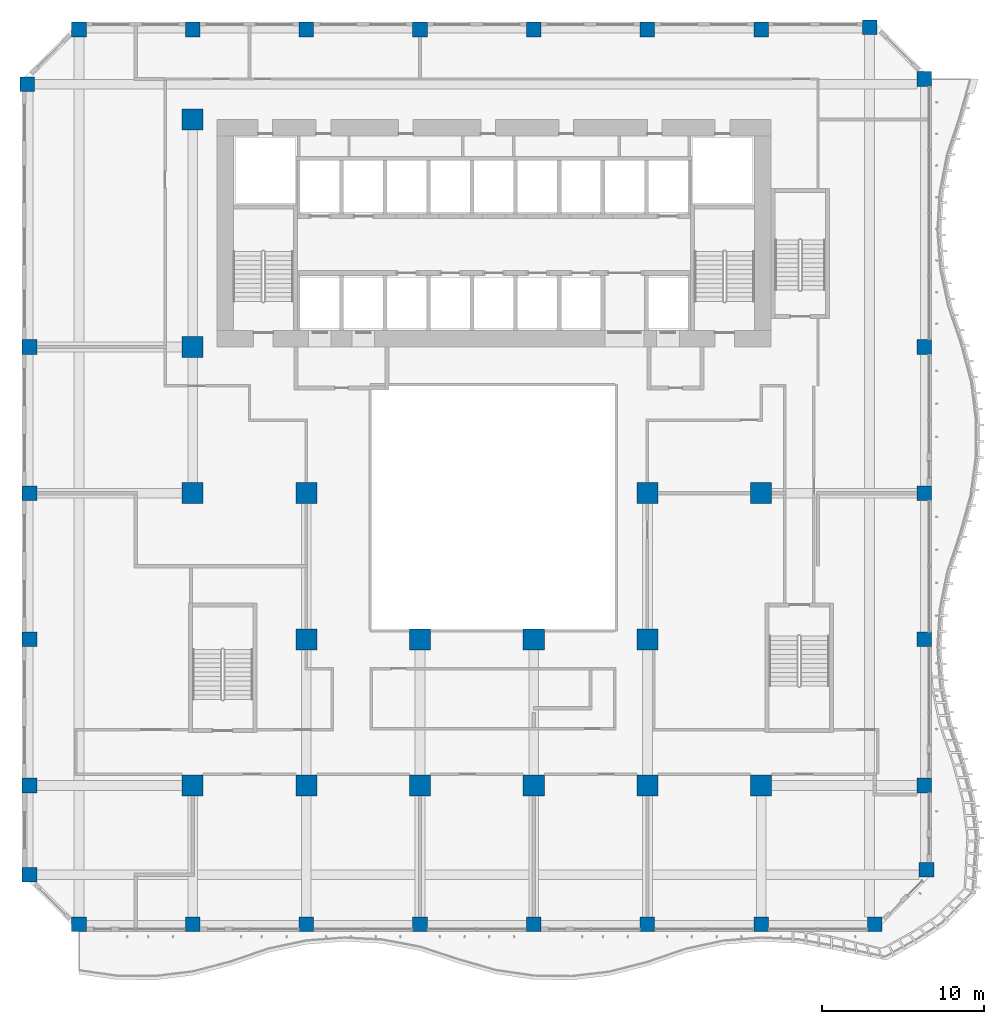
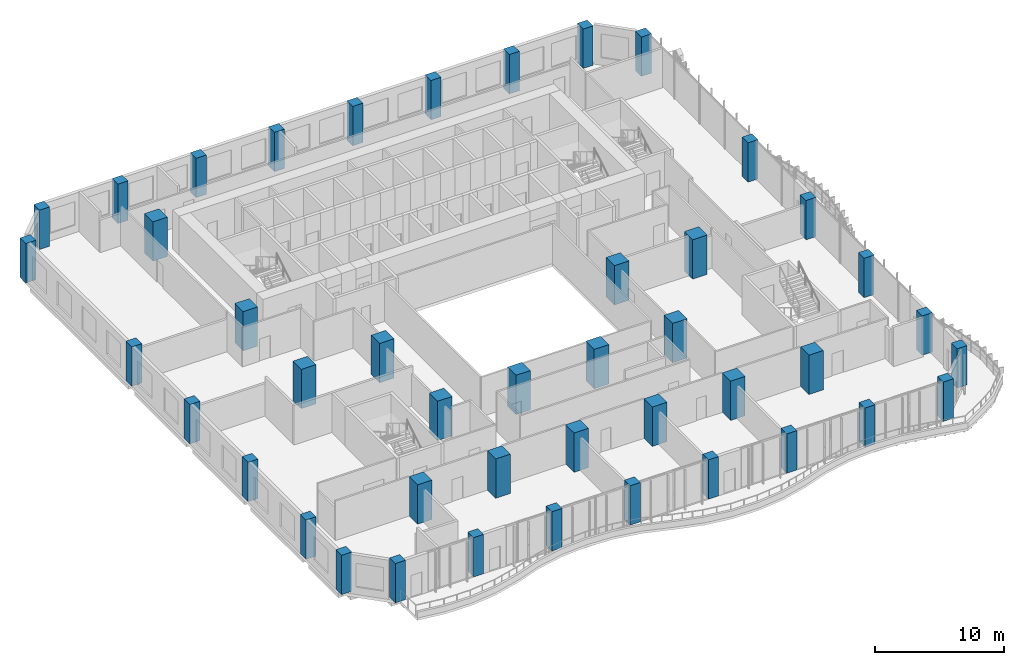
# One storey, part 1 of 27: 44 columns.
"""IFC4 building model written with IfcOpenShell, lengths in metres."""

from ifc_helpers import new_model, si_unit, direction, frame, origin, origin_2d, place, context, subcontext, project, spatial, rectangle, extrude, source, transform, mapped, material, material_profile, profile_set, type_object, element, save


model = new_model("IFC4")

# Units and contexts
model_context = context("Model", 3, precision=1e-05, world=origin(), true_north=direction((0.0, 1.0)))
body_context = subcontext(model_context, "Body", "Model", "MODEL_VIEW")
ifc_project = project(units=[si_unit("LENGTHUNIT", "METRE"), si_unit("AREAUNIT", "SQUARE_METRE"), si_unit("VOLUMEUNIT", "CUBIC_METRE"), si_unit("PLANEANGLEUNIT", "RADIAN"), si_unit("MASSUNIT", "GRAM", prefix="KILO")], contexts=[model_context])

# Site, building, storey
site_placement = place(None, origin())
site = spatial("IfcSite", under=ifc_project, at=site_placement, CompositionType="ELEMENT")
building_placement = place(site_placement, origin())
building = spatial("IfcBuilding", under=site, at=building_placement, Name="Kilnfold Tower and Market Hall", CompositionType="ELEMENT")
storey_placement = place(building_placement, frame((0.0, 0.0, 51.0)))
storey = spatial("IfcBuildingStorey", under=building, at=storey_placement, Name="L11", CompositionType="ELEMENT", Elevation=51.0)

# Columns
ifc_material_1 = material(Name="Concrete C80", Category="concrete")
ifc_material_profile_1 = material_profile(ifc_material_1, rectangle(XDim=0.89990234375, YDim=0.89990234375, at=origin_2d()), Name="RC 900x900")
ifc_profile_set_1 = profile_set([ifc_material_profile_1], Name="Concrete C80")
column_type_1 = type_object("IfcColumnType", Name="COLUMN 900X900 C80", PredefinedType="COLUMN", material=ifc_profile_set_1)
shared_shape_1 = source(origin(), body_context, "Body", "SweptSolid", [
    extrude(rectangle(XDim=0.89990234375, YDim=0.89990234375, at=origin_2d()), origin(), (0.0, 0.0, 1.0), 3.719970703125),
])
for number, where, z_axis, x_axis, name in (
    (1, (-27.681884765625, 24.181884765625, 0.0), (0.0, 0.0, 1.0), (1.0, 0.0, 0.0), "Column C-B1-1H"),
    (2, (-27.550048828125, -24.5, 0.0), (0.0, 0.0, 1.0), (1.0, 0.0, 0.0), "Column C-B1-1B"),
    (3, (-27.550048828125, -19.0, 0.0), (0.0, 0.0, 1.0), (1.0, 0.0, 0.0), "Column C-B1-1C"),
    (4, (-27.550048828125, -10.0, 0.0), (0.0, 0.0, 1.0), (1.0, 0.0, 0.0), "Column C-B1-1D"),
    (5, (-27.550048828125, -1.0, 0.0), (0.0, 0.0, 1.0), (1.0, 0.0, 0.0), "Column C-B1-1E"),
    (6, (-27.550048828125, 8.0, 0.0), (0.0, 0.0, 1.0), (1.0, 0.0, 0.0), "Column C-B1-1F"),
    (7, (-24.5, -27.550048828125, 0.0), (0.0, 0.0, 1.0), (1.0, 0.0, 0.0), "Column C-B1-2A"),
    (8, (-24.5, 27.550048828125, 0.0), (0.0, 0.0, 1.0), (1.0, 0.0, 0.0), "Column C-B1-2I"),
    (9, (-17.5, -27.550048828125, 0.0), (0.0, 0.0, 1.0), (1.0, 0.0, 0.0), "Column C-B1-3A"),
    (10, (-17.5, 27.550048828125, 0.0), (0.0, 0.0, 1.0), (1.0, 0.0, 0.0), "Column C-B1-3I"),
    (11, (-10.5, -27.550048828125, 0.0), (0.0, 0.0, 1.0), (1.0, 0.0, 0.0), "Column C-B1-4A"),
    (12, (-10.5, 27.550048828125, 0.0), (0.0, 0.0, 1.0), (1.0, 0.0, 0.0), "Column C-B1-4I"),
    (13, (-3.5, -27.550048828125, 0.0), (0.0, 0.0, 1.0), (1.0, 0.0, 0.0), "Column C-B1-5A"),
    (14, (-3.5, 27.550048828125, 0.0), (0.0, 0.0, 1.0), (1.0, 0.0, 0.0), "Column C-B1-5I"),
    (15, (3.5, -27.550048828125, 0.0), (0.0, 0.0, 1.0), (1.0, 0.0, 0.0), "Column C-B1-6A"),
    (16, (3.5, 27.550048828125, 0.0), (0.0, 0.0, 1.0), (1.0, 0.0, 0.0), "Column C-B1-6I"),
    (17, (10.5, -27.550048828125, 0.0), (0.0, 0.0, 1.0), (1.0, 0.0, 0.0), "Column C-B1-7A"),
    (18, (10.5, 27.550048828125, 0.0), (0.0, 0.0, 1.0), (1.0, 0.0, 0.0), "Column C-B1-7I"),
    (19, (17.5, -27.550048828125, 0.0), (0.0, 0.0, 1.0), (1.0, 0.0, 0.0), "Column C-B1-8A"),
    (20, (17.5, 27.550048828125, 0.0), (0.0, 0.0, 1.0), (1.0, 0.0, 0.0), "Column C-B1-8I"),
    (21, (24.181884765625, 27.681884765625, 0.0), (0.0, 0.0, 1.0), (1.0, 0.0, 0.0), "Column C-B1-9I"),
    (22, (24.5, -27.550048828125, 0.0), (0.0, 0.0, 1.0), (1.0, 0.0, 0.0), "Column C-B1-9A"),
    (23, (27.550048828125, -19.0, 0.0), (0.0, 0.0, 1.0), (1.0, 0.0, 0.0), "Column C-B1-10C"),
    (24, (27.550048828125, -10.0, 0.0), (0.0, 0.0, 1.0), (1.0, 0.0, 0.0), "Column C-B1-10D"),
    (25, (27.550048828125, -1.0, 0.0), (0.0, 0.0, 1.0), (1.0, 0.0, 0.0), "Column C-B1-10E"),
    (26, (27.550048828125, 8.0, 0.0), (0.0, 0.0, 1.0), (1.0, 0.0, 0.0), "Column C-B1-10F"),
    (27, (27.550048828125, 24.5, 0.0), (0.0, 0.0, 1.0), (1.0, 0.0, 0.0), "Column C-B1-10H"),
    (28, (27.681884765625, -24.181884765625, 0.0), (0.0, 0.0, 1.0), (1.0, 0.0, 0.0), "Column C-B1-10B"),
):
    element("IfcColumn", number, at=place(storey_placement, frame(where, z_axis=z_axis, x_axis=x_axis)), inside=storey, type_object=column_type_1, Name=name, PredefinedType="COLUMN", context=body_context, shape_type="MappedRepresentation", body=[
        mapped(shared_shape_1, transform((0.0, 0.0, 0.0))),
    ])
ifc_material_2 = material(Name="Concrete C80", Category="concrete")
ifc_material_profile_2 = material_profile(ifc_material_2, rectangle(XDim=1.300048828125, YDim=1.300048828125, at=origin_2d()), Name="RC 1300x1300")
ifc_profile_set_2 = profile_set([ifc_material_profile_2], Name="Concrete C80")
column_type_2 = type_object("IfcColumnType", Name="COLUMN 1300X1300 C80", PredefinedType="COLUMN", material=ifc_profile_set_2)
shared_shape_2 = source(origin(), body_context, "Body", "SweptSolid", [
    extrude(rectangle(XDim=1.300048828125, YDim=1.300048828125, at=origin_2d()), origin(), (0.0, 0.0, 1.0), 3.719970703125),
])
for number, where, z_axis, x_axis, name in (
    (29, (-17.5, -19.0, 0.0), (0.0, 0.0, 1.0), (1.0, 0.0, 0.0), "Column C-B1-3C"),
    (30, (-17.5, -1.0, 0.0), (0.0, 0.0, 1.0), (1.0, 0.0, 0.0), "Column C-B1-3E"),
    (31, (-17.5, 8.0, 0.0), (0.0, 0.0, 1.0), (1.0, 0.0, 0.0), "Column C-B1-3F"),
    (32, (-17.5, 22.0, 0.0), (0.0, 0.0, 1.0), (1.0, 0.0, 0.0), "Column C-B1-3G"),
    (33, (-10.5, -19.0, 0.0), (0.0, 0.0, 1.0), (1.0, 0.0, 0.0), "Column C-B1-4C"),
    (34, (-10.5, -10.0, 0.0), (0.0, 0.0, 1.0), (1.0, 0.0, 0.0), "Column C-B1-4D"),
    (35, (-10.5, -1.0, 0.0), (0.0, 0.0, 1.0), (1.0, 0.0, 0.0), "Column C-B1-4E"),
    (36, (-3.5, -19.0, 0.0), (0.0, 0.0, 1.0), (1.0, 0.0, 0.0), "Column C-B1-5C"),
    (37, (-3.5, -10.0, 0.0), (0.0, 0.0, 1.0), (1.0, 0.0, 0.0), "Column C-B1-5D"),
    (38, (3.5, -19.0, 0.0), (0.0, 0.0, 1.0), (1.0, 0.0, 0.0), "Column C-B1-6C"),
    (39, (3.5, -10.0, 0.0), (0.0, 0.0, 1.0), (1.0, 0.0, 0.0), "Column C-B1-6D"),
    (40, (10.5, -19.0, 0.0), (0.0, 0.0, 1.0), (1.0, 0.0, 0.0), "Column C-B1-7C"),
    (41, (10.5, -10.0, 0.0), (0.0, 0.0, 1.0), (1.0, 0.0, 0.0), "Column C-B1-7D"),
    (42, (10.5, -1.0, 0.0), (0.0, 0.0, 1.0), (1.0, 0.0, 0.0), "Column C-B1-7E"),
    (43, (17.5, -19.0, 0.0), (0.0, 0.0, 1.0), (1.0, 0.0, 0.0), "Column C-B1-8C"),
    (44, (17.5, -1.0, 0.0), (0.0, 0.0, 1.0), (1.0, 0.0, 0.0), "Column C-B1-8E"),
):
    element("IfcColumn", number, at=place(storey_placement, frame(where, z_axis=z_axis, x_axis=x_axis)), inside=storey, type_object=column_type_2, Name=name, PredefinedType="COLUMN", context=body_context, shape_type="MappedRepresentation", body=[
        mapped(shared_shape_2, transform((0.0, 0.0, 0.0))),
    ])

save(model, "model.ifc")
